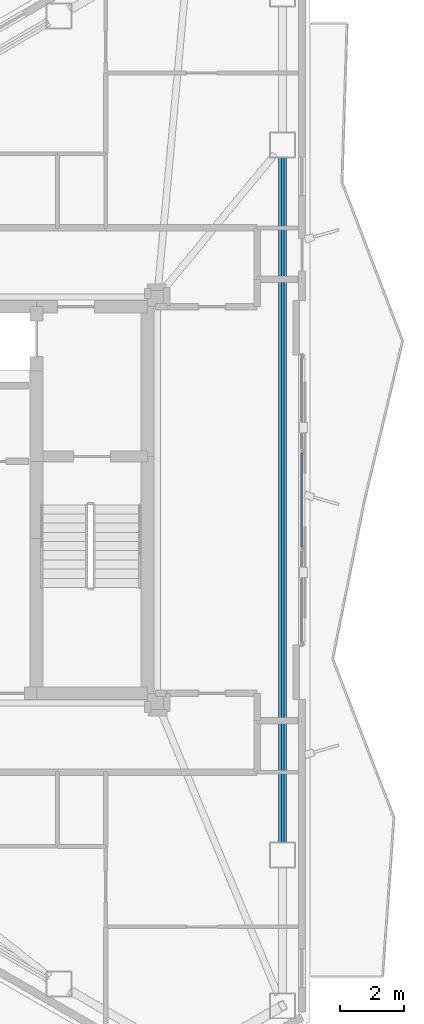
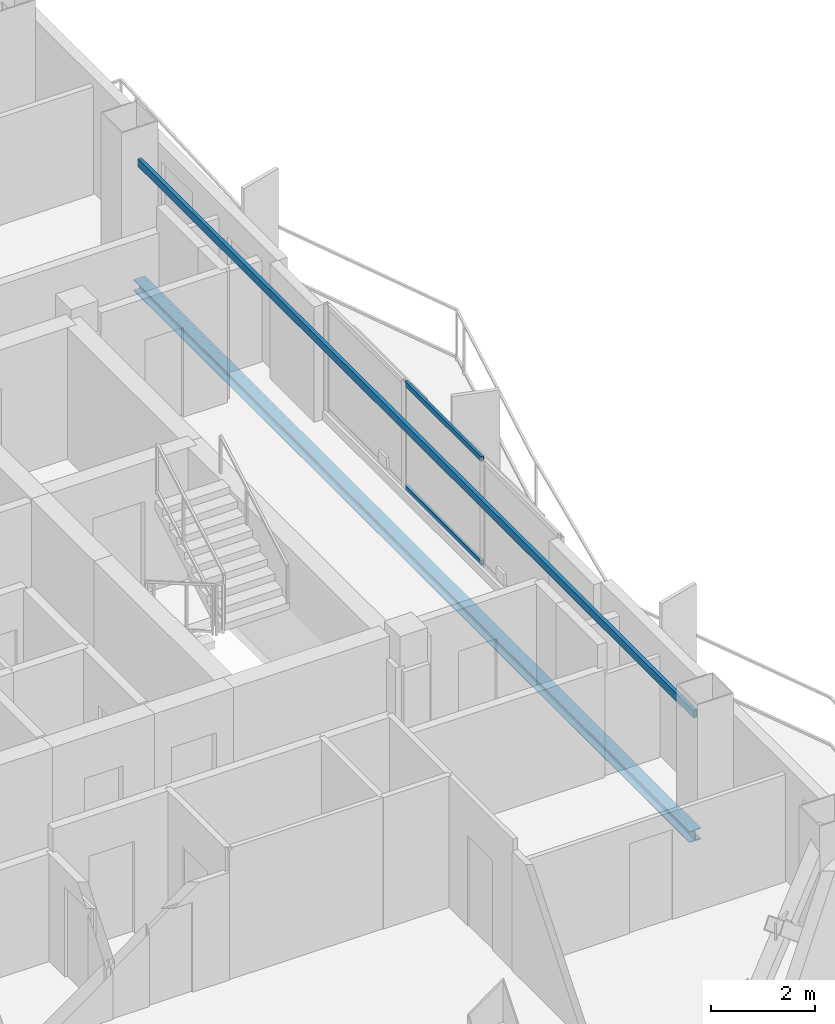
# One storey, part 12 of 22: 2 beams, 2 members, 1 element without a shape of its own.
"""IFC4 building model written with IfcOpenShell, lengths in metres."""

from ifc_helpers import new_model, si_unit, direction, frame, origin, origin_2d, place, context, subcontext, project, spatial, hollow_rectangle, i_section, extrude, material, layer, layer_set, material_profile, profile_set, type_object, element, aggregate, save


model = new_model("IFC4")

# Units and contexts
model_context = context("Model", 3, precision=1e-05, world=origin(), true_north=direction((0.0, 1.0)))
body_context = subcontext(model_context, "Body", "Model", "MODEL_VIEW")
ifc_project = project(units=[si_unit("LENGTHUNIT", "METRE"), si_unit("AREAUNIT", "SQUARE_METRE"), si_unit("VOLUMEUNIT", "CUBIC_METRE"), si_unit("PLANEANGLEUNIT", "RADIAN"), si_unit("MASSUNIT", "GRAM", prefix="KILO")], contexts=[model_context])

# Site, building, storey
site_placement = place(None, origin())
site = spatial("IfcSite", under=ifc_project, at=site_placement, CompositionType="ELEMENT")
building_placement = place(site_placement, origin())
building = spatial("IfcBuilding", under=site, at=building_placement, Name="Mersakhor Tower and Convention Hall", CompositionType="ELEMENT")
storey_placement = place(building_placement, frame((0.0, 0.0, 208.5)))
storey = spatial("IfcBuildingStorey", under=building, at=storey_placement, Name="L58", CompositionType="ELEMENT", Elevation=208.5)

# Beams
ifc_material_1 = material(Name="Steel S355", Category="steel")
ifc_material_profile_1 = material_profile(ifc_material_1, hollow_rectangle(XDim=0.080078125, YDim=0.179931640625, WallThickness=0.008056640625, at=origin_2d()), Name="RHS 180x80x8")
ifc_profile_set_1 = profile_set([ifc_material_profile_1], Name="Steel S355")
beam_type_1 = type_object("IfcBeamType", Name="BM-GRT-RHS180", PredefinedType="USERDEFINED", material=ifc_profile_set_1)
beam_1_placement = place(storey_placement, frame((39.98828125, 37.392822265625, 2.47998046875), z_axis=(0.0, -1.0, 0.0), x_axis=(1.0, 0.0, 0.0)))
element("IfcBeam", 1, at=beam_1_placement, inside=storey, type_object=beam_type_1, Name="L58 Facade Support Girt GRT-F2", ObjectType="GIRT", PredefinedType="USERDEFINED", context=body_context, shape_type="SweptSolid", body=[
    extrude(hollow_rectangle(XDim=0.080078125, YDim=0.179931640625, WallThickness=0.008056640625, at=origin_2d()), origin(), (0.0, 0.0, 1.0), 21.28564453125),
])
ifc_material_2 = material(Name="Steel S355", Category="steel")
ifc_material_profile_2 = material_profile(ifc_material_2, i_section(OverallWidth=0.25634765625, OverallDepth=0.26025390625, WebThickness=0.01025390625, FlangeThickness=0.017333984375, at=origin_2d()), Name="UC 254x254x89")
ifc_profile_set_2 = profile_set([ifc_material_profile_2], Name="Steel S355")
beam_type_2 = type_object("IfcBeamType", Name="BM-SPD-UC254", PredefinedType="SPANDREL", material=ifc_profile_set_2)
beam_2_placement = place(storey_placement, frame((39.98828125, 37.392822265625, -0.360107421875), z_axis=(0.0, -1.0, 0.0), x_axis=(1.0, 0.0, 0.0)))
element("IfcBeam", 2, at=beam_2_placement, inside=storey, type_object=beam_type_2, Name="L58 Perimeter Spandrel Beam SPB-06", PredefinedType="SPANDREL", context=body_context, shape_type="SweptSolid", body=[
    extrude(i_section(OverallWidth=0.25634765625, OverallDepth=0.26025390625, WebThickness=0.01025390625, FlangeThickness=0.017333984375, at=origin_2d()), origin(), (0.0, 0.0, 1.0), 21.28564453125),
])

# Curtain wall, members
ifc_material_3 = material(Name="Dark solar low-E aluminium curtain wall", Category="aluminium")
ifc_layer = layer(ifc_material_3, 0.169921875)
ifc_layer_set = layer_set([ifc_layer], Name="Dark solar low-E aluminium curtain wall")
curtain_wall_type = type_object("IfcCurtainWallType", Name="CW-SYS-02", PredefinedType="USERDEFINED", material=ifc_layer_set)
curtain_wall_placement = place(storey_placement, origin())
curtain_wall = element("IfcCurtainWall", 3, at=curtain_wall_placement, inside=storey, type_object=curtain_wall_type, Name="L58 Dark-Glass Curtain Wall F2-B2", ObjectType="CURTAIN WALL", PredefinedType="USERDEFINED")
ifc_material_4 = material(Name="Anodised aluminium EN AW-6063 T6", Category="aluminium")
ifc_material_profile_3 = material_profile(ifc_material_4, hollow_rectangle(XDim=0.06005859375, YDim=0.1201171875, WallThickness=0.0048828125, at=origin_2d()), Name="RHS 120x60x5")
ifc_profile_set_3 = profile_set([ifc_material_profile_3], Name="Anodised aluminium EN AW-6063 T6")
member_type = type_object("IfcMemberType", Name="CWT-120x60", PredefinedType="USERDEFINED", material=ifc_profile_set_3)
member_1_placement = place(storey_placement, frame((40.58837890625, 28.21240234375, 0.22998046875), z_axis=(0.0, -1.0, 0.0), x_axis=(1.0, 0.0, 0.0)))
member_1 = element("IfcMember", 4, at=member_1_placement, type_object=member_type, Name="CW-02 transom 2.1", ObjectType="TRANSOM", PredefinedType="USERDEFINED", context=body_context, shape_type="SweptSolid", body=[
    extrude(hollow_rectangle(XDim=0.06005859375, YDim=0.1201171875, WallThickness=0.0048828125, at=origin_2d()), origin(), (0.0, 0.0, 1.0), 2.9248046875),
])
member_2_placement = place(storey_placement, frame((40.58837890625, 28.21240234375, 2.659912109375), z_axis=(0.0, -1.0, 0.0), x_axis=(1.0, 0.0, 0.0)))
member_2 = element("IfcMember", 5, at=member_2_placement, type_object=member_type, Name="CW-02 transom 2.2", ObjectType="TRANSOM", PredefinedType="USERDEFINED", context=body_context, shape_type="SweptSolid", body=[
    extrude(hollow_rectangle(XDim=0.06005859375, YDim=0.1201171875, WallThickness=0.0048828125, at=origin_2d()), origin(), (0.0, 0.0, 1.0), 2.9248046875),
])
aggregate(curtain_wall, [member_1, member_2])

save(model, "model.ifc")
